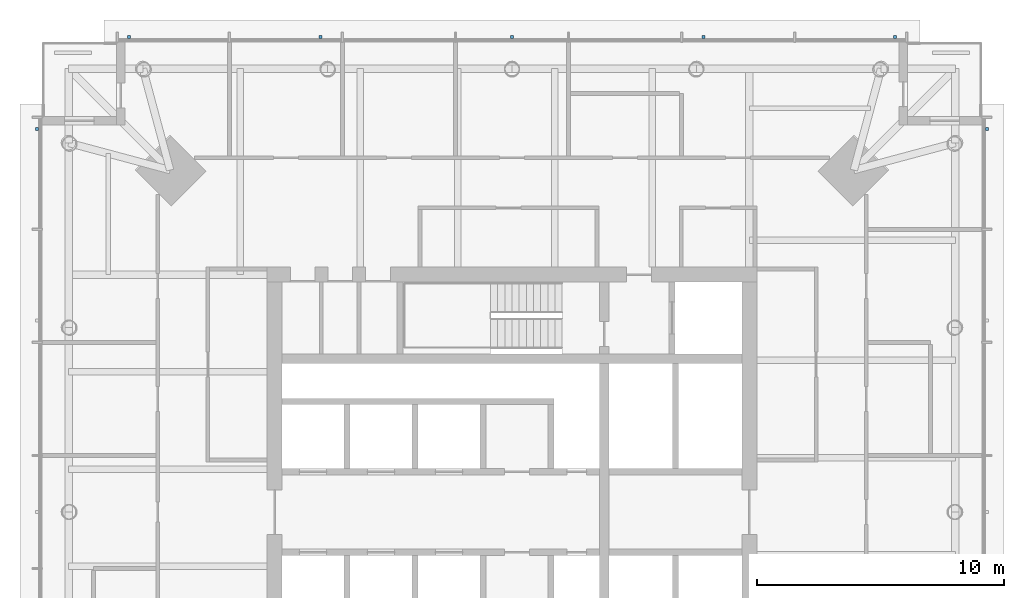
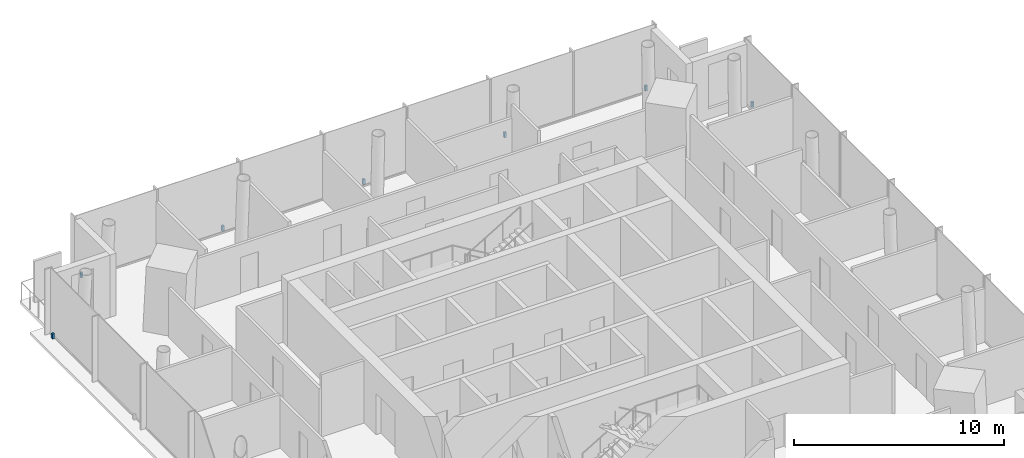
# One storey, part 10 of 11: 7 discrete accessories.
"""IFC4 building model written with IfcOpenShell, lengths in metres."""

from ifc_helpers import new_model, si_unit, direction, frame, origin, origin_2d, place, context, subcontext, project, spatial, rectangle, extrude, material, type_object, element, save


model = new_model("IFC4")

# Units and contexts
model_context = context("Model", 3, precision=1e-05, world=origin(), true_north=direction((0.0, 1.0)))
body_context = subcontext(model_context, "Body", "Model", "MODEL_VIEW")
ifc_project = project(units=[si_unit("LENGTHUNIT", "METRE"), si_unit("AREAUNIT", "SQUARE_METRE"), si_unit("VOLUMEUNIT", "CUBIC_METRE"), si_unit("PLANEANGLEUNIT", "RADIAN"), si_unit("MASSUNIT", "GRAM", prefix="KILO")], contexts=[model_context])

# Site, building, storey
site_placement = place(None, origin())
site = spatial("IfcSite", under=ifc_project, at=site_placement, CompositionType="ELEMENT")
building_placement = place(site_placement, origin())
building = spatial("IfcBuilding", under=site, at=building_placement, Name="Ostroluk Exchange", CompositionType="ELEMENT")
storey_placement = place(building_placement, frame((0.0, 0.0, 211.0)))
storey = spatial("IfcBuildingStorey", under=building, at=storey_placement, Name="L54", CompositionType="ELEMENT", Elevation=211.0)

# Discrete accessories
ifc_material = material(Name="Stainless steel", Category="steel")
discrete_accessory_type = type_object("IfcDiscreteAccessoryType", Name="Fall-arrest anchor PN-EN 795 type C", PredefinedType="USERDEFINED", material=ifc_material)
for number, where, z_axis, x_axis, name in (
    (1, (64.2099609375, 61.5, 0.0), (0.0, 0.0, 1.0), (1.0, 0.0, 0.0), "Fall-arrest anchor L54 east 5"),
    (2, (29.5, 65.2099609375, 0.0), (0.0, 0.0, 1.0), (1.0, 0.0, 0.0), "Fall-arrest anchor L54 north 1"),
    (3, (37.25, 65.2099609375, 0.0), (0.0, 0.0, 1.0), (1.0, 0.0, 0.0), "Fall-arrest anchor L54 north 2"),
    (4, (45.0, 65.2099609375, 0.0), (0.0, 0.0, 1.0), (1.0, 0.0, 0.0), "Fall-arrest anchor L54 north 3"),
    (5, (52.75, 65.2099609375, 0.0), (0.0, 0.0, 1.0), (1.0, 0.0, 0.0), "Fall-arrest anchor L54 north 4"),
    (6, (60.5, 65.2099609375, 0.0), (0.0, 0.0, 1.0), (1.0, 0.0, 0.0), "Fall-arrest anchor L54 north 5"),
    (7, (25.7900390625, 61.5, 0.0), (0.0, 0.0, 1.0), (1.0, 0.0, 0.0), "Fall-arrest anchor L54 west 5"),
):
    element("IfcDiscreteAccessory", number, at=place(storey_placement, frame(where, z_axis=z_axis, x_axis=x_axis)), inside=storey, type_object=discrete_accessory_type, Name=name, ObjectType="FALL ARREST ANCHOR", PredefinedType="USERDEFINED", context=body_context, shape_type="SweptSolid", body=[
        extrude(rectangle(XDim=0.1201171875, YDim=0.1201171875, at=origin_2d()), origin(), (0.0, 0.0, 1.0), 0.300048828125),
    ])

save(model, "model.ifc")
